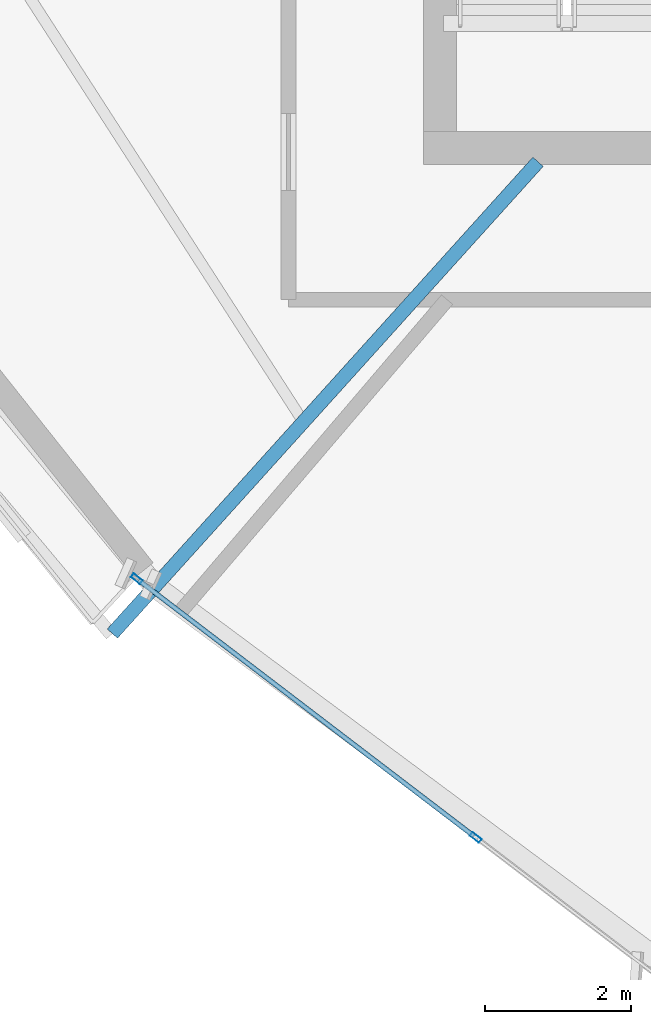
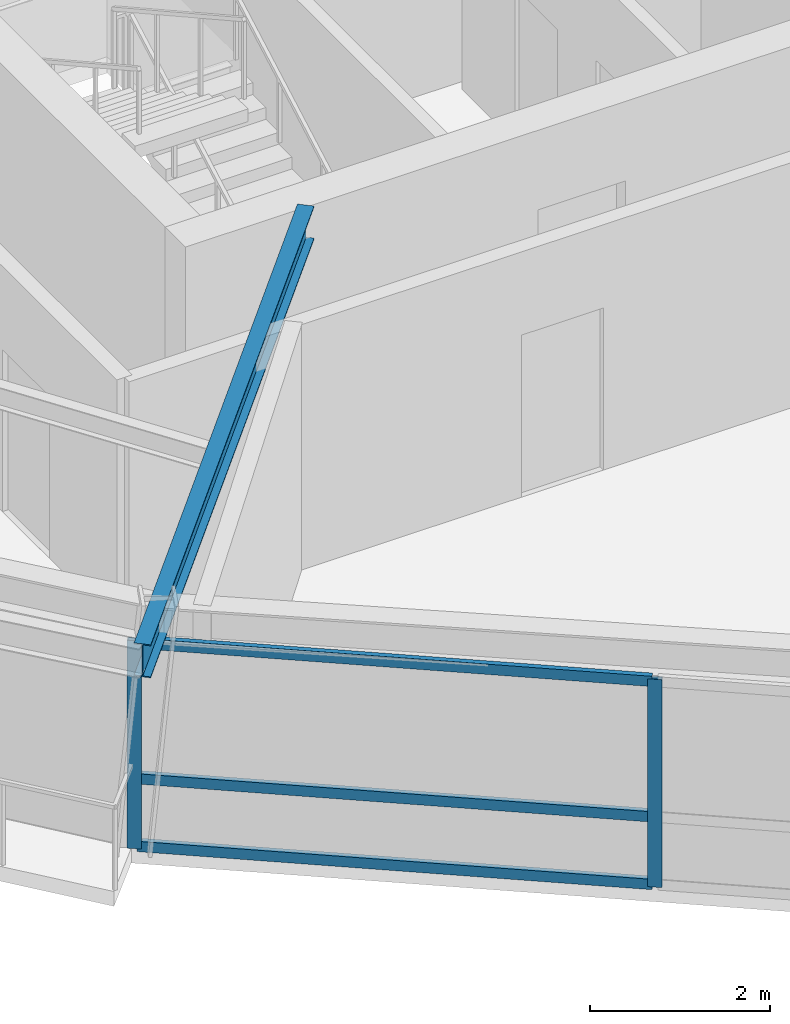
# One storey, part 2 of 13: 5 members, 1 beam, 1 element without a shape of its own.
"""IFC4 building model written with IfcOpenShell, lengths in metres."""

from ifc_helpers import new_model, si_unit, direction, frame, origin, origin_2d, place, context, subcontext, project, spatial, hollow_rectangle, i_section, extrude, source, transform, mapped, material, material_profile, profile_set, type_object, element, aggregate, save


model = new_model("IFC4")

# Units and contexts
model_context = context("Model", 3, precision=1e-05, world=origin(), true_north=direction((0.0, 1.0)))
body_context = subcontext(model_context, "Body", "Model", "MODEL_VIEW")
ifc_project = project(units=[si_unit("LENGTHUNIT", "METRE"), si_unit("AREAUNIT", "SQUARE_METRE"), si_unit("VOLUMEUNIT", "CUBIC_METRE"), si_unit("PLANEANGLEUNIT", "RADIAN"), si_unit("MASSUNIT", "GRAM", prefix="KILO")], contexts=[model_context])

# Site, building, storey
site_placement = place(None, origin())
site = spatial("IfcSite", under=ifc_project, at=site_placement, CompositionType="ELEMENT")
building_placement = place(site_placement, origin())
building = spatial("IfcBuilding", under=site, at=building_placement, Name="Olszyna Solenne Hotel", CompositionType="ELEMENT")
storey_placement = place(building_placement, frame((0.0, 0.0, 227.35009765625)))
storey = spatial("IfcBuildingStorey", under=building, at=storey_placement, Name="L60", CompositionType="ELEMENT", Elevation=227.35009765625)

# Beam
ifc_material_1 = material(Name="Steel S355J2", Category="steel")
ifc_material_profile_1 = material_profile(ifc_material_1, i_section(OverallWidth=0.18994140625, OverallDepth=0.449951171875, WebThickness=0.009521484375, FlangeThickness=0.0146484375, at=origin_2d()), Name="IPE 450", Category="load-bearing")
ifc_profile_set_1 = profile_set([ifc_material_profile_1], Name="Steel S355J2")
beam_type = type_object("IfcBeamType", Name="BM-F4", PredefinedType="BEAM", material=ifc_profile_set_1)
shared_shape_1 = source(origin(), body_context, "Body", "SweptSolid", [
    extrude(i_section(OverallWidth=0.18994140625, OverallDepth=0.449951171875, WebThickness=0.009521484375, FlangeThickness=0.0146484375, at=origin_2d()), origin(), (0.0, 0.0, 1.0), 8.701416015625),
])
beam_placement = place(storey_placement, frame((25.388427734375, 12.62646484375, 3.10498046875), z_axis=(0.669867961151, 0.742480245275, 0.0), x_axis=(-0.742480245275, 0.669867961151, 0.0)))
element("IfcBeam", 1, at=beam_placement, inside=storey, type_object=beam_type, Name="Radial floor girder BM-F4 B-L60-1783", PredefinedType="BEAM", context=body_context, shape_type="MappedRepresentation", body=[
    mapped(shared_shape_1, transform((0.0, 0.0, 0.0), x_axis=(1.0, 0.0, 0.0), y_axis=(0.0, 1.0, 0.0), z_axis=(0.0, 0.0, 1.0), scale=1.0)),
])

# Curtain wall, members
ifc_material_2 = material(Name="Anodised bronze aluminium", Category="aluminium")
curtain_wall_type = type_object("IfcCurtainWallType", Name="CW-SYS-4", PredefinedType="NOTDEFINED", material=ifc_material_2)
curtain_wall_placement = place(storey_placement, origin())
curtain_wall = element("IfcCurtainWall", 2, at=curtain_wall_placement, inside=storey, type_object=curtain_wall_type, Name="Unitised curtain wall CW-SYS-4 CW-L60-01", PredefinedType="NOTDEFINED")
ifc_material_profile_2 = material_profile(ifc_material_2, hollow_rectangle(XDim=0.06494140625, YDim=0.159912109375, WallThickness=0.00390625, at=origin_2d()), Name="MULL 160x65x4", Category="load-bearing")
ifc_profile_set_2 = profile_set([ifc_material_profile_2], Name="Anodised bronze aluminium")
member_type_1 = type_object("IfcMemberType", Name="CW-M3", PredefinedType="MULLION", material=ifc_profile_set_2)
shared_shape_2 = source(origin(), body_context, "Body", "SweptSolid", [
    extrude(hollow_rectangle(XDim=0.06494140625, YDim=0.159912109375, WallThickness=0.00390625, at=origin_2d()), origin(), (0.0, 0.0, 1.0), 2.822021484375),
])
member_1_placement = place(storey_placement, frame((25.722412109375, 13.377197265625, 0.0), z_axis=(0.0, 0.0, 1.0), x_axis=(0.606611373069, 0.79499851702, 0.0)))
member_1 = element("IfcMember", 3, at=member_1_placement, type_object=member_type_1, Name="Curtain-wall mullion CW-M3 CM-L60-01-01", PredefinedType="MULLION", context=body_context, shape_type="MappedRepresentation", body=[
    mapped(shared_shape_2, transform((0.0, 0.0, 0.0), x_axis=(1.0, 0.0, 0.0), y_axis=(0.0, 1.0, 0.0), z_axis=(0.0, 0.0, 1.0), scale=1.0)),
])
member_2_placement = place(storey_placement, frame((30.363525390625, 9.8359375, 0.0), z_axis=(0.0, 0.0, 1.0), x_axis=(0.606611373069, 0.79499851702, 0.0)))
member_2 = element("IfcMember", 4, at=member_2_placement, type_object=member_type_1, Name="Curtain-wall mullion CW-M3 CM-L60-01-02", PredefinedType="MULLION", context=body_context, shape_type="MappedRepresentation", body=[
    mapped(shared_shape_2, transform((0.0, 0.0, 0.0), x_axis=(1.0, 0.0, 0.0), y_axis=(0.0, 1.0, 0.0), z_axis=(0.0, 0.0, 1.0), scale=1.0)),
])
ifc_material_profile_3 = material_profile(ifc_material_2, hollow_rectangle(XDim=0.06494140625, YDim=0.139892578125, WallThickness=0.00390625, at=origin_2d()), Name="TRAN 140x65x4", Category="load-bearing")
ifc_profile_set_3 = profile_set([ifc_material_profile_3], Name="Anodised bronze aluminium")
member_type_2 = type_object("IfcMemberType", Name="CW-T2", PredefinedType="USERDEFINED", material=ifc_profile_set_3)
shared_shape_3 = source(origin(), body_context, "Body", "SweptSolid", [
    extrude(hollow_rectangle(XDim=0.06494140625, YDim=0.139892578125, WallThickness=0.00390625, at=origin_2d()), origin(), (0.0, 0.0, 1.0), 5.77294921875),
])
member_3_placement = place(storey_placement, frame((25.748291015625, 13.357666015625, 0.032470703125), z_axis=(0.794968420855, -0.606650813766, 0.0), x_axis=(0.606650813766, 0.794968420855, 0.0)))
member_3 = element("IfcMember", 5, at=member_3_placement, type_object=member_type_2, Name="Curtain-wall transom CW-T2 CT-L60-01-01", ObjectType="TRANSOM", PredefinedType="USERDEFINED", context=body_context, shape_type="MappedRepresentation", body=[
    mapped(shared_shape_3, transform((0.0, 0.0, 0.0), x_axis=(1.0, 0.0, 0.0), y_axis=(0.0, 1.0, 0.0), z_axis=(0.0, 0.0, 1.0), scale=1.0)),
])
member_4_placement = place(storey_placement, frame((25.748291015625, 13.357666015625, 0.949951171875), z_axis=(0.794968420855, -0.606650813766, 0.0), x_axis=(0.606650813766, 0.794968420855, 0.0)))
member_4 = element("IfcMember", 6, at=member_4_placement, type_object=member_type_2, Name="Curtain-wall transom CW-T2 CT-L60-01-02", ObjectType="TRANSOM", PredefinedType="USERDEFINED", context=body_context, shape_type="MappedRepresentation", body=[
    mapped(shared_shape_3, transform((0.0, 0.0, 0.0), x_axis=(1.0, 0.0, 0.0), y_axis=(0.0, 1.0, 0.0), z_axis=(0.0, 0.0, 1.0), scale=1.0)),
])
member_5_placement = place(storey_placement, frame((25.748291015625, 13.357666015625, 2.789306640625), z_axis=(0.794968420855, -0.606650813766, 0.0), x_axis=(0.606650813766, 0.794968420855, 0.0)))
member_5 = element("IfcMember", 7, at=member_5_placement, type_object=member_type_2, Name="Curtain-wall transom CW-T2 CT-L60-01-03", ObjectType="TRANSOM", PredefinedType="USERDEFINED", context=body_context, shape_type="MappedRepresentation", body=[
    mapped(shared_shape_3, transform((0.0, 0.0, 0.0), x_axis=(1.0, 0.0, 0.0), y_axis=(0.0, 1.0, 0.0), z_axis=(0.0, 0.0, 1.0), scale=1.0)),
])
aggregate(curtain_wall, [member_1, member_2, member_3, member_4, member_5])

save(model, "model.ifc")
